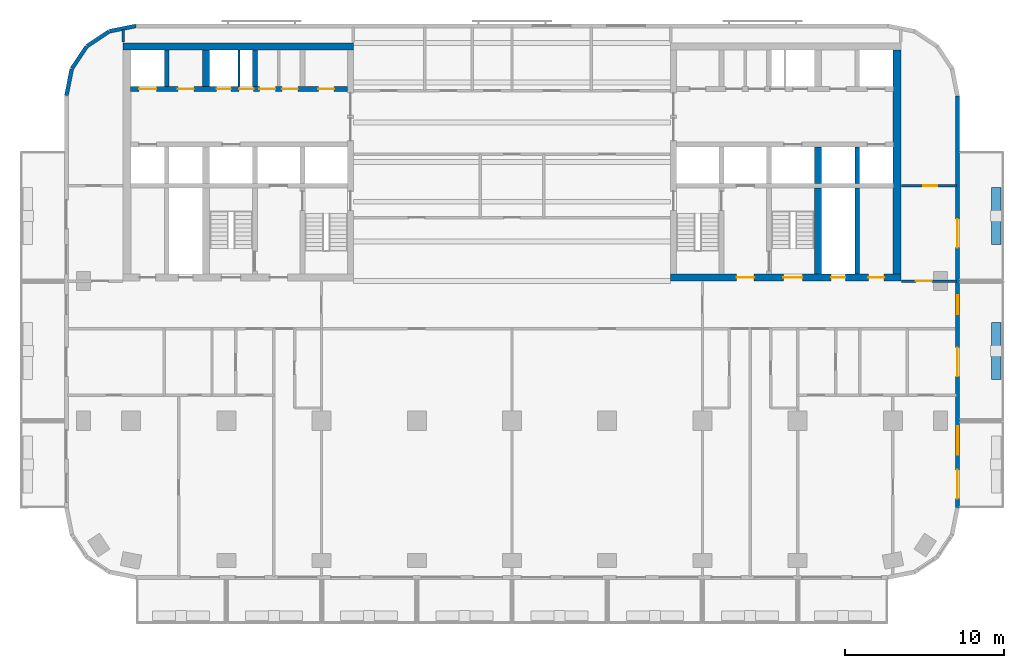
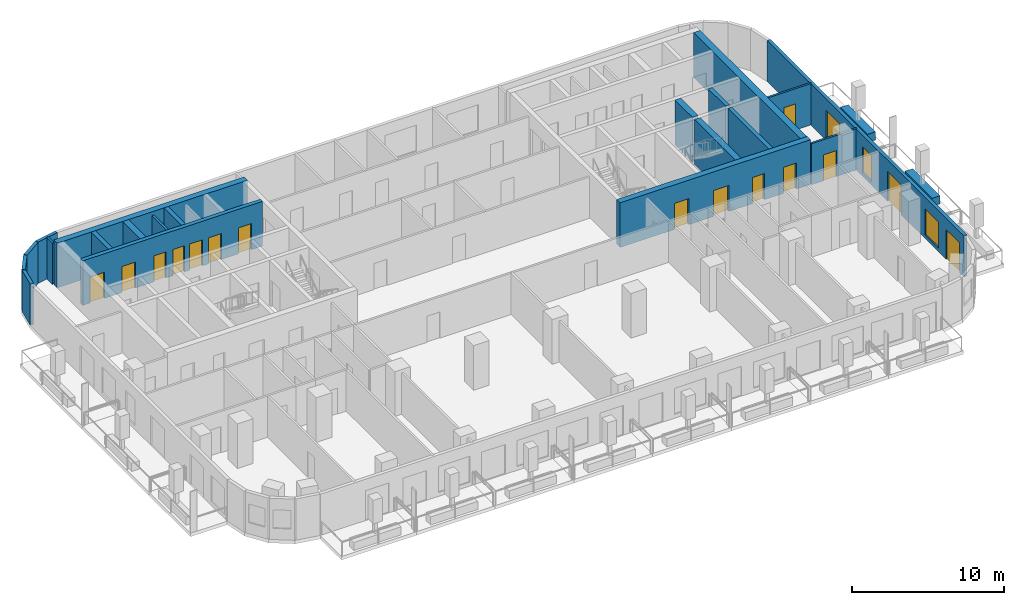
# One storey, part 6 of 11: 22 walls, 16 doors, 2 windows, 18 openings.
"""IFC4 building model written with IfcOpenShell, lengths in metres."""

from ifc_helpers import new_model, si_unit, direction, frame, frame_2d, origin, place, context, subcontext, project, spatial, rectangle, extrude, material, layer, layer_set, type_object, element, fill, save


model = new_model("IFC4")

# Units and contexts
model_context = context("Model", 3, precision=1e-05, world=origin(), true_north=direction((0.0, 1.0)))
body_context = subcontext(model_context, "Body", "Model", "MODEL_VIEW")
ifc_project = project(units=[si_unit("LENGTHUNIT", "METRE"), si_unit("AREAUNIT", "SQUARE_METRE"), si_unit("VOLUMEUNIT", "CUBIC_METRE"), si_unit("PLANEANGLEUNIT", "RADIAN"), si_unit("MASSUNIT", "GRAM", prefix="KILO")], contexts=[model_context])

# Site, building, storey
site_placement = place(None, origin())
site = spatial("IfcSite", under=ifc_project, at=site_placement, CompositionType="ELEMENT")
building_placement = place(site_placement, origin())
building = spatial("IfcBuilding", under=site, at=building_placement, Name="Torana Hotel and Residences", CompositionType="ELEMENT")
storey_placement = place(building_placement, frame((0.0, 0.0, 123.60009765625)))
storey = spatial("IfcBuildingStorey", under=building, at=storey_placement, Name="L31", CompositionType="ELEMENT", Elevation=123.60009765625)

# Wall, openings, doors
ifc_material_1 = material(Name="Concrete C70/85", Category="concrete")
ifc_layer_1 = layer(ifc_material_1, 0.300048828125)
ifc_layer_set_1 = layer_set([ifc_layer_1], Name="CORE WALL 300 C70/85")
wall_type_1 = type_object("IfcWallType", Name="CORE WALL 300 C70/85", PredefinedType="SHEAR", material=ifc_layer_set_1)
wall_1_placement = place(storey_placement, frame((-24.050048828125, -2.89990234375, 0.0), z_axis=(0.0, 0.0, 1.0), x_axis=(1.0, 0.0, 0.0)))
wall_1 = element("IfcWall", 1, at=wall_1_placement, inside=storey, type_object=wall_type_1, Name="Core wall W row-N", PredefinedType="SHEAR", context=body_context, shape_type="SweptSolid", body=[
    extrude(rectangle(XDim=13.699951171875, YDim=0.300048828125, at=frame_2d((6.85009765625, 0.0))), origin(), (0.0, 0.0, 1.0), 3.599853515625),
])
opening_1_placement = place(wall_1_placement, frame((0.550048828125, 0.0, 0.0)))
opening_1 = element("IfcOpeningElement", 2, at=opening_1_placement, cuts=wall_1, Name="Opening LD", PredefinedType="OPENING", context=body_context, shape_type="SweptSolid", body=[
    extrude(rectangle(XDim=1.10009765625, YDim=2.10009765625, at=frame_2d((0.550048828125, 1.050048828125))), frame((0.0, 0.159912109375, 0.0), z_axis=(0.0, -1.0, 0.0), x_axis=(1.0, 0.0, 0.0)), (0.0, 0.0, 1.0), 0.320068359375),
])
opening_2_placement = place(wall_1_placement, frame((6.862548828125, 0.0, 0.0)))
opening_2 = element("IfcOpeningElement", 3, at=opening_2_placement, cuts=wall_1, Name="Opening L31-08", PredefinedType="OPENING", context=body_context, shape_type="SweptSolid", body=[
    extrude(rectangle(XDim=0.89990234375, YDim=2.10009765625, at=frame_2d((0.449951171875, 1.050048828125))), frame((0.0, 0.159912109375, 0.0), z_axis=(0.0, -1.0, 0.0), x_axis=(1.0, 0.0, 0.0)), (0.0, 0.0, 1.0), 0.320068359375),
])
opening_3_placement = place(wall_1_placement, frame((5.4375, 0.0, 0.0)))
opening_3 = element("IfcOpeningElement", 4, at=opening_3_placement, cuts=wall_1, Name="Opening L31-09", PredefinedType="OPENING", context=body_context, shape_type="SweptSolid", body=[
    extrude(rectangle(XDim=0.89990234375, YDim=2.10009765625, at=frame_2d((0.449951171875, 1.050048828125))), frame((0.0, 0.159912109375, 0.0), z_axis=(0.0, -1.0, 0.0), x_axis=(1.0, 0.0, 0.0)), (0.0, 0.0, 1.0), 0.320068359375),
])
opening_4_placement = place(wall_1_placement, frame((11.85009765625, 0.0, 0.0)))
opening_4 = element("IfcOpeningElement", 5, at=opening_4_placement, cuts=wall_1, Name="Opening L31-10", PredefinedType="OPENING", context=body_context, shape_type="SweptSolid", body=[
    extrude(rectangle(XDim=1.0, YDim=2.10009765625, at=frame_2d((0.5, 1.050048828125))), frame((0.0, 0.159912109375, 0.0), z_axis=(0.0, -1.0, 0.0), x_axis=(1.0, 0.0, 0.0)), (0.0, 0.0, 1.0), 0.320068359375),
])
opening_5_placement = place(wall_1_placement, frame((9.5625, 0.0, 0.0)))
opening_5 = element("IfcOpeningElement", 6, at=opening_5_placement, cuts=wall_1, Name="Opening L31-11", PredefinedType="OPENING", context=body_context, shape_type="SweptSolid", body=[
    extrude(rectangle(XDim=1.0, YDim=2.10009765625, at=frame_2d((0.5, 1.050048828125))), frame((0.0, 0.159912109375, 0.0), z_axis=(0.0, -1.0, 0.0), x_axis=(1.0, 0.0, 0.0)), (0.0, 0.0, 1.0), 0.320068359375),
])
opening_6_placement = place(wall_1_placement, frame((8.137451171875, 0.0, 0.0)))
opening_6 = element("IfcOpeningElement", 7, at=opening_6_placement, cuts=wall_1, Name="Opening L31-12", PredefinedType="OPENING", context=body_context, shape_type="SweptSolid", body=[
    extrude(rectangle(XDim=1.0, YDim=2.10009765625, at=frame_2d((0.5, 1.050048828125))), frame((0.0, 0.159912109375, 0.0), z_axis=(0.0, -1.0, 0.0), x_axis=(1.0, 0.0, 0.0)), (0.0, 0.0, 1.0), 0.320068359375),
])
opening_7_placement = place(wall_1_placement, frame((3.0, 0.0, 0.0)))
opening_7 = element("IfcOpeningElement", 8, at=opening_7_placement, cuts=wall_1, Name="Opening L31-13", PredefinedType="OPENING", context=body_context, shape_type="SweptSolid", body=[
    extrude(rectangle(XDim=1.0, YDim=2.10009765625, at=frame_2d((0.5, 1.050048828125))), frame((0.0, 0.159912109375, 0.0), z_axis=(0.0, -1.0, 0.0), x_axis=(1.0, 0.0, 0.0)), (0.0, 0.0, 1.0), 0.320068359375),
])
ifc_material_2 = material(Name="Steel S235", Category="steel")
door_type_1 = type_object("IfcDoorType", Name="CORE ROOM FIRE DOOR D14 1000x2100", OperationType="SINGLE_SWING_LEFT", PredefinedType="DOOR", material=ifc_material_2)
door_1_placement = place(opening_4_placement, origin())
door_1 = element("IfcDoor", 9, at=door_1_placement, inside=storey, type_object=door_type_1, Name="N0 door L31", OperationType="SINGLE_SWING_RIGHT", OverallHeight=2.10009765625, OverallWidth=1.0, PredefinedType="DOOR", context=body_context, shape_type="SweptSolid", body=[
    extrude(rectangle(XDim=1.0, YDim=2.10009765625, at=frame_2d((0.5, 1.050048828125))), frame((0.0, 0.02490234375, 0.0), z_axis=(0.0, -1.0, 0.0), x_axis=(1.0, 0.0, 0.0)), (0.0, 0.0, 1.0), 0.050048828125),
])
fill(opening_4, door_1)
door_2_placement = place(opening_5_placement, origin())
door_2 = element("IfcDoor", 10, at=door_2_placement, inside=storey, type_object=door_type_1, Name="N1A door L31", OperationType="SINGLE_SWING_RIGHT", OverallHeight=2.10009765625, OverallWidth=1.0, PredefinedType="DOOR", context=body_context, shape_type="SweptSolid", body=[
    extrude(rectangle(XDim=1.0, YDim=2.10009765625, at=frame_2d((0.5, 1.050048828125))), frame((0.0, 0.02490234375, 0.0), z_axis=(0.0, -1.0, 0.0), x_axis=(1.0, 0.0, 0.0)), (0.0, 0.0, 1.0), 0.050048828125),
])
fill(opening_5, door_2)
door_3_placement = place(opening_6_placement, origin())
door_3 = element("IfcDoor", 11, at=door_3_placement, inside=storey, type_object=door_type_1, Name="N1B door L31", OperationType="SINGLE_SWING_RIGHT", OverallHeight=2.10009765625, OverallWidth=1.0, PredefinedType="DOOR", context=body_context, shape_type="SweptSolid", body=[
    extrude(rectangle(XDim=1.0, YDim=2.10009765625, at=frame_2d((0.5, 1.050048828125))), frame((0.0, 0.02490234375, 0.0), z_axis=(0.0, -1.0, 0.0), x_axis=(1.0, 0.0, 0.0)), (0.0, 0.0, 1.0), 0.050048828125),
])
fill(opening_6, door_3)
door_4_placement = place(opening_7_placement, origin())
door_4 = element("IfcDoor", 12, at=door_4_placement, inside=storey, type_object=door_type_1, Name="Freed-S1 door L31", OperationType="SINGLE_SWING_RIGHT", OverallHeight=2.10009765625, OverallWidth=1.0, PredefinedType="DOOR", context=body_context, shape_type="SweptSolid", body=[
    extrude(rectangle(XDim=1.0, YDim=2.10009765625, at=frame_2d((0.5, 1.050048828125))), frame((0.0, 0.02490234375, 0.0), z_axis=(0.0, -1.0, 0.0), x_axis=(1.0, 0.0, 0.0)), (0.0, 0.0, 1.0), 0.050048828125),
])
fill(opening_7, door_4)
ifc_material_3 = material(Name="Stainless steel 316", Category="steel")
door_type_2 = type_object("IfcDoorType", Name="LIFT LANDING DOOR LD 1100x2100", OperationType="DOUBLE_DOOR_SLIDING", PredefinedType="USERDEFINED", material=ifc_material_3)
door_5_placement = place(opening_1_placement, origin())
door_5 = element("IfcDoor", 13, at=door_5_placement, inside=storey, type_object=door_type_2, Name="Lift landing door M1 L31", ObjectType="LIFT LANDING DOOR", OperationType="DOUBLE_DOOR_SLIDING", OverallHeight=2.10009765625, OverallWidth=1.10009765625, PredefinedType="USERDEFINED", context=body_context, shape_type="SweptSolid", body=[
    extrude(rectangle(XDim=1.10009765625, YDim=2.10009765625, at=frame_2d((0.550048828125, 1.050048828125))), frame((0.0, 0.02490234375, 0.0), z_axis=(0.0, -1.0, 0.0), x_axis=(1.0, 0.0, 0.0)), (0.0, 0.0, 1.0), 0.050048828125),
])
fill(opening_1, door_5)
ifc_material_4 = material(Name="Steel S235", Category="steel")
door_type_3 = type_object("IfcDoorType", Name="RISER ACCESS DOOR D5 900x2100", OperationType="SINGLE_SWING_LEFT", PredefinedType="DOOR", material=ifc_material_4)
door_6_placement = place(opening_2_placement, origin())
door_6 = element("IfcDoor", 14, at=door_6_placement, inside=storey, type_object=door_type_3, Name="N2A door L31", OperationType="SINGLE_SWING_LEFT", OverallHeight=2.10009765625, OverallWidth=0.89990234375, PredefinedType="DOOR", context=body_context, shape_type="SweptSolid", body=[
    extrude(rectangle(XDim=0.89990234375, YDim=2.10009765625, at=frame_2d((0.449951171875, 1.050048828125))), frame((0.0, 0.02490234375, 0.0), z_axis=(0.0, -1.0, 0.0), x_axis=(1.0, 0.0, 0.0)), (0.0, 0.0, 1.0), 0.050048828125),
])
fill(opening_2, door_6)
door_7_placement = place(opening_3_placement, origin())
door_7 = element("IfcDoor", 15, at=door_7_placement, inside=storey, type_object=door_type_3, Name="N2B door L31", OperationType="SINGLE_SWING_RIGHT", OverallHeight=2.10009765625, OverallWidth=0.89990234375, PredefinedType="DOOR", context=body_context, shape_type="SweptSolid", body=[
    extrude(rectangle(XDim=0.89990234375, YDim=2.10009765625, at=frame_2d((0.449951171875, 1.050048828125))), frame((0.0, 0.02490234375, 0.0), z_axis=(0.0, -1.0, 0.0), x_axis=(1.0, 0.0, 0.0)), (0.0, 0.0, 1.0), 0.050048828125),
])
fill(opening_3, door_7)

# Walls
for number, where, z_axis, x_axis, name in (
    (16, (-16.199951171875, -2.75, 0.0), (0.0, 0.0, 1.0), (0.0, 1.0, 0.0), "Core wall W x6.05-N"),
    (17, (-21.75, -2.75, 0.0), (0.0, 0.0, 1.0), (0.0, 1.0, 0.0), "Core wall W mm-N"),
    (18, (21.75, -8.85009765625, 0.0), (0.0, 0.0, 1.0), (0.0, 1.0, 0.0), "Core wall E mm-S"),
):
    element("IfcWall", number, at=place(storey_placement, frame(where, z_axis=z_axis, x_axis=x_axis)), inside=storey, type_object=wall_type_1, Name=name, PredefinedType="SHEAR", context=body_context, shape_type="SweptSolid", body=[
        extrude(rectangle(XDim=2.300048828125, YDim=0.300048828125, at=frame_2d((1.14990234375, 0.0))), origin(), (0.0, 0.0, 1.0), 3.599853515625),
    ])
wall_2_placement = place(storey_placement, frame((21.75, -14.550048828125, 0.0), z_axis=(0.0, 0.0, 1.0), x_axis=(0.0, 1.0, 0.0)))
element("IfcWall", 19, at=wall_2_placement, inside=storey, type_object=wall_type_1, Name="Core wall E mm-band", PredefinedType="SHEAR", context=body_context, shape_type="SweptSolid", body=[
    extrude(rectangle(XDim=5.400146484375, YDim=0.300048828125, at=frame_2d((2.7001953125, 0.0))), origin(), (0.0, 0.0, 1.0), 3.599853515625),
])
ifc_material_5 = material(Name="Concrete C70/85", Category="concrete")
ifc_layer_2 = layer(ifc_material_5, 0.449951171875)
ifc_layer_set_2 = layer_set([ifc_layer_2], Name="CORE WALL 450 C70/85")
wall_type_2 = type_object("IfcWallType", Name="CORE WALL 450 C70/85", PredefinedType="SHEAR", material=ifc_layer_set_2)
wall_3_placement = place(storey_placement, frame((-24.5, -0.22509765625, 0.0), z_axis=(0.0, 0.0, 1.0), x_axis=(1.0, 0.0, 0.0)))
element("IfcWall", 20, at=wall_3_placement, inside=storey, type_object=wall_type_2, Name="Core wall W rear", PredefinedType="SHEAR", context=body_context, shape_type="SweptSolid", body=[
    extrude(rectangle(XDim=14.5, YDim=0.449951171875, at=frame_2d((7.25, 0.0))), origin(), (0.0, 0.0, 1.0), 3.599853515625),
])
wall_4_placement = place(storey_placement, frame((-19.27490234375, -2.75, 0.0), z_axis=(0.0, 0.0, 1.0), x_axis=(0.0, 1.0, 0.0)))
element("IfcWall", 21, at=wall_4_placement, inside=storey, type_object=wall_type_2, Name="Core wall W hm-N", PredefinedType="SHEAR", context=body_context, shape_type="SweptSolid", body=[
    extrude(rectangle(XDim=2.300048828125, YDim=0.449951171875, at=frame_2d((1.14990234375, 0.0))), origin(), (0.0, 0.0, 1.0), 3.599853515625),
])

# Wall, openings, doors
wall_5_placement = place(storey_placement, frame((10.0, -14.77490234375, 0.0), z_axis=(0.0, 0.0, 1.0), x_axis=(1.0, 0.0, 0.0)))
wall_5 = element("IfcWall", 22, at=wall_5_placement, inside=storey, type_object=wall_type_2, Name="Core wall E front", PredefinedType="SHEAR", context=body_context, shape_type="SweptSolid", body=[
    extrude(rectangle(XDim=14.5, YDim=0.449951171875, at=frame_2d((7.25, 0.0))), origin(), (0.0, 0.0, 1.0), 3.599853515625),
])
opening_8_placement = place(wall_5_placement, frame((7.10009765625, 0.0, 0.0)))
opening_8 = element("IfcOpeningElement", 23, at=opening_8_placement, cuts=wall_5, Name="Opening L31-19", PredefinedType="OPENING", context=body_context, shape_type="SweptSolid", body=[
    extrude(rectangle(XDim=1.199951171875, YDim=2.10009765625, at=frame_2d((0.60009765625, 1.050048828125))), frame((0.0, 0.23486328125, 0.0), z_axis=(0.0, -1.0, 0.0), x_axis=(1.0, 0.0, 0.0)), (0.0, 0.0, 1.0), 0.469970703125),
])
opening_9_placement = place(wall_5_placement, frame((4.14990234375, 0.0, 0.0)))
opening_9 = element("IfcOpeningElement", 24, at=opening_9_placement, cuts=wall_5, Name="Opening L31-20", PredefinedType="OPENING", context=body_context, shape_type="SweptSolid", body=[
    extrude(rectangle(XDim=1.10009765625, YDim=2.10009765625, at=frame_2d((0.550048828125, 1.050048828125))), frame((0.0, 0.23486328125, 0.0), z_axis=(0.0, -1.0, 0.0), x_axis=(1.0, 0.0, 0.0)), (0.0, 0.0, 1.0), 0.469970703125),
])
opening_10_placement = place(wall_5_placement, frame((10.10009765625, 0.0, 0.0)))
opening_10 = element("IfcOpeningElement", 25, at=opening_10_placement, cuts=wall_5, Name="Opening L31-21", PredefinedType="OPENING", context=body_context, shape_type="SweptSolid", body=[
    extrude(rectangle(XDim=0.89990234375, YDim=2.10009765625, at=frame_2d((0.449951171875, 1.050048828125))), frame((0.0, 0.23486328125, 0.0), z_axis=(0.0, -1.0, 0.0), x_axis=(1.0, 0.0, 0.0)), (0.0, 0.0, 1.0), 0.469970703125),
])
opening_11_placement = place(wall_5_placement, frame((12.449951171875, 0.0, 0.0)))
opening_11 = element("IfcOpeningElement", 26, at=opening_11_placement, cuts=wall_5, Name="Opening L31-22", PredefinedType="OPENING", context=body_context, shape_type="SweptSolid", body=[
    extrude(rectangle(XDim=1.0, YDim=2.10009765625, at=frame_2d((0.5, 1.050048828125))), frame((0.0, 0.23486328125, 0.0), z_axis=(0.0, -1.0, 0.0), x_axis=(1.0, 0.0, 0.0)), (0.0, 0.0, 1.0), 0.469970703125),
])
door_8_placement = place(opening_11_placement, origin())
door_8 = element("IfcDoor", 27, at=door_8_placement, inside=storey, type_object=door_type_1, Name="M-Room door L31", OperationType="SINGLE_SWING_RIGHT", OverallHeight=2.10009765625, OverallWidth=1.0, PredefinedType="DOOR", context=body_context, shape_type="SweptSolid", body=[
    extrude(rectangle(XDim=1.0, YDim=2.10009765625, at=frame_2d((0.5, 1.050048828125))), frame((0.0, 0.02490234375, 0.0), z_axis=(0.0, -1.0, 0.0), x_axis=(1.0, 0.0, 0.0)), (0.0, 0.0, 1.0), 0.050048828125),
])
fill(opening_11, door_8)
ifc_material_6 = material(Name="Steel S235", Category="steel")
door_type_4 = type_object("IfcDoorType", Name="FIRE-FIGHTING LOBBY DOOR D8 1100x2100", OperationType="SINGLE_SWING_LEFT", PredefinedType="DOOR", material=ifc_material_6)
door_9_placement = place(opening_9_placement, origin())
door_9 = element("IfcDoor", 28, at=door_9_placement, inside=storey, type_object=door_type_4, Name="FF-lobby door L31", OperationType="SINGLE_SWING_RIGHT", OverallHeight=2.10009765625, OverallWidth=1.10009765625, PredefinedType="DOOR", context=body_context, shape_type="SweptSolid", body=[
    extrude(rectangle(XDim=1.10009765625, YDim=2.10009765625, at=frame_2d((0.550048828125, 1.050048828125))), frame((0.0, 0.02490234375, 0.0), z_axis=(0.0, -1.0, 0.0), x_axis=(1.0, 0.0, 0.0)), (0.0, 0.0, 1.0), 0.050048828125),
])
fill(opening_9, door_9)
door_10_placement = place(opening_10_placement, origin())
door_10 = element("IfcDoor", 29, at=door_10_placement, inside=storey, type_object=door_type_3, Name="M-Riser door L31", OperationType="SINGLE_SWING_RIGHT", OverallHeight=2.10009765625, OverallWidth=0.89990234375, PredefinedType="DOOR", context=body_context, shape_type="SweptSolid", body=[
    extrude(rectangle(XDim=0.89990234375, YDim=2.10009765625, at=frame_2d((0.449951171875, 1.050048828125))), frame((0.0, 0.02490234375, 0.0), z_axis=(0.0, -1.0, 0.0), x_axis=(1.0, 0.0, 0.0)), (0.0, 0.0, 1.0), 0.050048828125),
])
fill(opening_10, door_10)
ifc_material_7 = material(Name="Steel S235", Category="steel")
door_type_5 = type_object("IfcDoorType", Name="STAIR FIRE DOOR D3 1200x2100", OperationType="SINGLE_SWING_LEFT", PredefinedType="DOOR", material=ifc_material_7)
door_11_placement = place(opening_8_placement, origin())
door_11 = element("IfcDoor", 30, at=door_11_placement, inside=storey, type_object=door_type_5, Name="Stair-B door L31", OperationType="SINGLE_SWING_RIGHT", OverallHeight=2.10009765625, OverallWidth=1.199951171875, PredefinedType="DOOR", context=body_context, shape_type="SweptSolid", body=[
    extrude(rectangle(XDim=1.199951171875, YDim=2.10009765625, at=frame_2d((0.60009765625, 1.050048828125))), frame((0.0, 0.02490234375, 0.0), z_axis=(0.0, -1.0, 0.0), x_axis=(1.0, 0.0, 0.0)), (0.0, 0.0, 1.0), 0.050048828125),
])
fill(opening_8, door_11)

# Walls
wall_6_placement = place(storey_placement, frame((19.27490234375, -8.85009765625, 0.0), z_axis=(0.0, 0.0, 1.0), x_axis=(0.0, 1.0, 0.0)))
element("IfcWall", 31, at=wall_6_placement, inside=storey, type_object=wall_type_2, Name="Core wall E hm-S", PredefinedType="SHEAR", context=body_context, shape_type="SweptSolid", body=[
    extrude(rectangle(XDim=2.300048828125, YDim=0.449951171875, at=frame_2d((1.14990234375, 0.0))), origin(), (0.0, 0.0, 1.0), 3.599853515625),
])
wall_7_placement = place(storey_placement, frame((19.27490234375, -14.550048828125, 0.0), z_axis=(0.0, 0.0, 1.0), x_axis=(0.0, 1.0, 0.0)))
element("IfcWall", 32, at=wall_7_placement, inside=storey, type_object=wall_type_2, Name="Core wall E hm-band", PredefinedType="SHEAR", context=body_context, shape_type="SweptSolid", body=[
    extrude(rectangle(XDim=5.400146484375, YDim=0.449951171875, at=frame_2d((2.7001953125, 0.0))), origin(), (0.0, 0.0, 1.0), 3.599853515625),
])
ifc_material_8 = material(Name="Concrete C70/85", Category="concrete")
ifc_layer_3 = layer(ifc_material_8, 0.5)
ifc_layer_set_3 = layer_set([ifc_layer_3], Name="CORE WALL 500 C70/85")
wall_type_3 = type_object("IfcWallType", Name="CORE WALL 500 C70/85", PredefinedType="SHEAR", material=ifc_layer_set_3)
wall_8_placement = place(storey_placement, frame((24.25, -14.550048828125, 0.0), z_axis=(0.0, 0.0, 1.0), x_axis=(0.0, 1.0, 0.0)))
element("IfcWall", 33, at=wall_8_placement, inside=storey, type_object=wall_type_3, Name="Core wall E outer", PredefinedType="SHEAR", context=body_context, shape_type="SweptSolid", body=[
    extrude(rectangle(XDim=14.10009765625, YDim=0.5, at=frame_2d((7.050048828125, 0.0))), origin(), (0.0, 0.0, 1.0), 3.599853515625),
])
ifc_material_9 = material(Name="Black aluminium composite panel", Category="aluminium")
ifc_layer_4 = layer(ifc_material_9, 0.00390625, Name="Cladding", Category="cladding")
ifc_material_10 = material(Name="Ventilated air cavity")
ifc_layer_5 = layer(ifc_material_10, 0.0400390625, Name="Ventilated cavity", Category="cavity")
ifc_material_11 = material(Name="Mineral wool insulation")
ifc_layer_6 = layer(ifc_material_11, 0.090087890625, Name="Insulation", Category="insulation")
ifc_material_12 = material(Name="Steel S280GD", Category="steel")
ifc_layer_7 = layer(ifc_material_12, 0.092041015625, Name="Steel stud frame", Category="structure")
ifc_material_13 = material(Name="Fire rated plasterboard")
ifc_layer_8 = layer(ifc_material_13, 0.011962890625, Name="Inner board", Category="finish")
ifc_layer_9 = layer(ifc_material_13, 0.011962890625, Name="Second board", Category="finish")
ifc_layer_set_4 = layer_set([ifc_layer_4, ifc_layer_5, ifc_layer_6, ifc_layer_7, ifc_layer_8, ifc_layer_9], Name="EW1 EXTERNAL WALL BLACK METAL CLAD 250")
wall_type_4 = type_object("IfcWallType", Name="EW1 EXTERNAL WALL BLACK METAL CLAD 250", PredefinedType="SOLIDWALL", material=ifc_layer_set_4)
wall_9_placement = place(storey_placement, frame((-23.69970703125, 1.072509765625, 0.0), z_axis=(0.0, 0.0, 1.0), x_axis=(-0.980803419081, -0.194999110559, 0.0)))
element("IfcWall", 34, at=wall_9_placement, inside=storey, type_object=wall_type_4, Name="External wall L31 e0.5", PredefinedType="SOLIDWALL", context=body_context, shape_type="SweptSolid", body=[
    extrude(rectangle(XDim=1.681396484375, YDim=0.25, at=frame_2d((0.8408203125, 0.0))), origin(), (0.0, 0.0, 1.0), 3.31982421875),
])
for number, where, z_axis, x_axis, name in (
    (35, (-25.39404296875, 0.725830078125, 0.0), (0.0, 0.0, 1.0), (-0.831482937015, -0.55555029066, 0.0), "External wall L31 e0.6"),
    (36, (-26.8056640625, -0.228759765625, 0.0), (0.0, 0.0, 1.0), (-0.55555029066, -0.831482937015, 0.0), "External wall L31 e0.7"),
):
    element("IfcWall", number, at=place(storey_placement, frame(where, z_axis=z_axis, x_axis=x_axis)), inside=storey, type_object=wall_type_4, Name=name, PredefinedType="SOLIDWALL", context=body_context, shape_type="SweptSolid", body=[
        extrude(rectangle(XDim=1.65625, YDim=0.25, at=frame_2d((0.828125, 0.0))), origin(), (0.0, 0.0, 1.0), 3.31982421875),
    ])
wall_10_placement = place(storey_placement, frame((-27.74462890625, -1.651123046875, 0.0), z_axis=(0.0, 0.0, 1.0), x_axis=(-0.194999110559, -0.980803419081, 0.0)))
element("IfcWall", 37, at=wall_10_placement, inside=storey, type_object=wall_type_4, Name="External wall L31 e0.8", PredefinedType="SOLIDWALL", context=body_context, shape_type="SweptSolid", body=[
    extrude(rectangle(XDim=1.681396484375, YDim=0.25, at=frame_2d((0.8408203125, 0.0))), origin(), (0.0, 0.0, 1.0), 3.31982421875),
])

# Wall, openings, doors, windows
wall_11_placement = place(storey_placement, frame((28.074951171875, -29.275390625, 0.0), z_axis=(0.0, 0.0, 1.0), x_axis=(0.0, 1.0, 0.0)))
wall_11 = element("IfcWall", 38, at=wall_11_placement, inside=storey, type_object=wall_type_4, Name="External wall L31 e0.19", PredefinedType="SOLIDWALL", context=body_context, shape_type="SweptSolid", body=[
    extrude(rectangle(XDim=25.95068359375, YDim=0.25, at=frame_2d((12.975341796875, 0.0))), origin(), (0.0, 0.0, 1.0), 3.31982421875),
])
opening_12_placement = place(wall_11_placement, frame((0.575439453125, 0.0, 0.0)))
opening_12 = element("IfcOpeningElement", 39, at=opening_12_placement, cuts=wall_11, Name="Opening L31-E09", PredefinedType="OPENING", context=body_context, shape_type="SweptSolid", body=[
    extrude(rectangle(XDim=1.800048828125, YDim=2.39990234375, at=frame_2d((0.89990234375, 1.199951171875))), frame((0.0, 0.135009765625, 0.0), z_axis=(0.0, -1.0, 0.0), x_axis=(1.0, 0.0, 0.0)), (0.0, 0.0, 1.0), 0.27001953125),
])
opening_13_placement = place(wall_11_placement, frame((3.325439453125, 0.0, 0.300048828125)))
opening_13 = element("IfcOpeningElement", 40, at=opening_13_placement, cuts=wall_11, Name="Opening W2", PredefinedType="OPENING", context=body_context, shape_type="SweptSolid", body=[
    extrude(rectangle(XDim=1.800048828125, YDim=2.10009765625, at=frame_2d((0.89990234375, 1.050048828125))), frame((0.0, 0.135009765625, 0.0), z_axis=(0.0, -1.0, 0.0), x_axis=(1.0, 0.0, 0.0)), (0.0, 0.0, 1.0), 0.27001953125),
])
opening_14_placement = place(wall_11_placement, frame((8.275390625, 0.0, 0.0)))
opening_14 = element("IfcOpeningElement", 41, at=opening_14_placement, cuts=wall_11, Name="Opening L31-E10", PredefinedType="OPENING", context=body_context, shape_type="SweptSolid", body=[
    extrude(rectangle(XDim=1.800048828125, YDim=2.39990234375, at=frame_2d((0.89990234375, 1.199951171875))), frame((0.0, 0.135009765625, 0.0), z_axis=(0.0, -1.0, 0.0), x_axis=(1.0, 0.0, 0.0)), (0.0, 0.0, 1.0), 0.27001953125),
])
opening_15_placement = place(wall_11_placement, frame((12.17529296875, 0.0, 0.300048828125)))
opening_15 = element("IfcOpeningElement", 42, at=opening_15_placement, cuts=wall_11, Name="Opening W7", PredefinedType="OPENING", context=body_context, shape_type="SweptSolid", body=[
    extrude(rectangle(XDim=1.199951171875, YDim=2.10009765625, at=frame_2d((0.60009765625, 1.050048828125))), frame((0.0, 0.135009765625, 0.0), z_axis=(0.0, -1.0, 0.0), x_axis=(1.0, 0.0, 0.0)), (0.0, 0.0, 1.0), 0.27001953125),
])
opening_16_placement = place(wall_11_placement, frame((16.37548828125, 0.0, 0.0)))
opening_16 = element("IfcOpeningElement", 43, at=opening_16_placement, cuts=wall_11, Name="Opening L31-E11", PredefinedType="OPENING", context=body_context, shape_type="SweptSolid", body=[
    extrude(rectangle(XDim=1.800048828125, YDim=2.39990234375, at=frame_2d((0.89990234375, 1.199951171875))), frame((0.0, 0.135009765625, 0.0), z_axis=(0.0, -1.0, 0.0), x_axis=(1.0, 0.0, 0.0)), (0.0, 0.0, 1.0), 0.27001953125),
])
ifc_material_14 = material(Name="Dark glass in black aluminium frame", Category="aluminium")
door_type_6 = type_object("IfcDoorType", Name="DB1 BALCONY DOOR 1800x2400", OperationType="DOUBLE_DOOR_SINGLE_SWING", PredefinedType="DOOR", material=ifc_material_14)
door_12_placement = place(opening_12_placement, origin())
door_12 = element("IfcDoor", 44, at=door_12_placement, inside=storey, type_object=door_type_6, Name="Balcony door L31", OperationType="DOUBLE_DOOR_SINGLE_SWING", OverallHeight=2.39990234375, OverallWidth=1.800048828125, PredefinedType="DOOR", context=body_context, shape_type="SweptSolid", body=[
    extrude(rectangle(XDim=1.800048828125, YDim=2.39990234375, at=frame_2d((0.89990234375, 1.199951171875))), frame((0.0, 0.02490234375, 0.0), z_axis=(0.0, -1.0, 0.0), x_axis=(1.0, 0.0, 0.0)), (0.0, 0.0, 1.0), 0.050048828125),
])
fill(opening_12, door_12)
door_13_placement = place(opening_14_placement, origin())
door_13 = element("IfcDoor", 45, at=door_13_placement, inside=storey, type_object=door_type_6, Name="Balcony door L31", OperationType="DOUBLE_DOOR_SINGLE_SWING", OverallHeight=2.39990234375, OverallWidth=1.800048828125, PredefinedType="DOOR", context=body_context, shape_type="SweptSolid", body=[
    extrude(rectangle(XDim=1.800048828125, YDim=2.39990234375, at=frame_2d((0.89990234375, 1.199951171875))), frame((0.0, 0.02490234375, 0.0), z_axis=(0.0, -1.0, 0.0), x_axis=(1.0, 0.0, 0.0)), (0.0, 0.0, 1.0), 0.050048828125),
])
fill(opening_14, door_13)
door_14_placement = place(opening_16_placement, origin())
door_14 = element("IfcDoor", 46, at=door_14_placement, inside=storey, type_object=door_type_6, Name="Balcony door L31", OperationType="DOUBLE_DOOR_SINGLE_SWING", OverallHeight=2.39990234375, OverallWidth=1.800048828125, PredefinedType="DOOR", context=body_context, shape_type="SweptSolid", body=[
    extrude(rectangle(XDim=1.800048828125, YDim=2.39990234375, at=frame_2d((0.89990234375, 1.199951171875))), frame((0.0, 0.02490234375, 0.0), z_axis=(0.0, -1.0, 0.0), x_axis=(1.0, 0.0, 0.0)), (0.0, 0.0, 1.0), 0.050048828125),
])
fill(opening_16, door_14)
ifc_material_15 = material(Name="Dark glass in black aluminium frame", Category="aluminium")
window_type_1 = type_object("IfcWindowType", Name="W2 HOTEL ROOM WINDOW NARROW 1800x2100", PartitioningType="SINGLE_PANEL", PredefinedType="WINDOW", material=ifc_material_15)
window_1_placement = place(opening_13_placement, origin())
window_1 = element("IfcWindow", 47, at=window_1_placement, inside=storey, type_object=window_type_1, Name="Window L31", OverallHeight=2.10009765625, OverallWidth=1.800048828125, PartitioningType="SINGLE_PANEL", PredefinedType="WINDOW", context=body_context, shape_type="SweptSolid", body=[
    extrude(rectangle(XDim=1.800048828125, YDim=2.10009765625, at=frame_2d((0.89990234375, 1.050048828125))), frame((0.0, 0.030029296875, 0.0), z_axis=(0.0, -1.0, 0.0), x_axis=(1.0, 0.0, 0.0)), (0.0, 0.0, 1.0), 0.06005859375),
])
fill(opening_13, window_1)
ifc_material_16 = material(Name="Dark glass in black aluminium frame", Category="aluminium")
window_type_2 = type_object("IfcWindowType", Name="W7 HOTEL CORRIDOR WINDOW 1200x2100", PartitioningType="SINGLE_PANEL", PredefinedType="WINDOW", material=ifc_material_16)
window_2_placement = place(opening_15_placement, origin())
window_2 = element("IfcWindow", 48, at=window_2_placement, inside=storey, type_object=window_type_2, Name="Window L31", OverallHeight=2.10009765625, OverallWidth=1.199951171875, PartitioningType="SINGLE_PANEL", PredefinedType="WINDOW", context=body_context, shape_type="SweptSolid", body=[
    extrude(rectangle(XDim=1.199951171875, YDim=2.10009765625, at=frame_2d((0.60009765625, 1.050048828125))), frame((0.0, 0.030029296875, 0.0), z_axis=(0.0, -1.0, 0.0), x_axis=(1.0, 0.0, 0.0)), (0.0, 0.0, 1.0), 0.06005859375),
])
fill(opening_15, window_2)

# Wall
ifc_material_17 = material(Name="Gypsum plaster")
ifc_layer_10 = layer(ifc_material_17, 0.014892578125, Name="Plaster", Category="finish")
ifc_material_18 = material(Name="Concrete blockwork", Category="masonry")
ifc_layer_11 = layer(ifc_material_18, 0.1201171875, Name="Blockwork", Category="structure")
ifc_layer_12 = layer(ifc_material_17, 0.014892578125, Name="Plaster", Category="finish")
ifc_layer_set_5 = layer_set([ifc_layer_10, ifc_layer_11, ifc_layer_12], Name="FIRE PARTITION 150 BLOCKWORK")
wall_type_5 = type_object("IfcWallType", Name="FIRE PARTITION 150 BLOCKWORK", PredefinedType="PARTITIONING", material=ifc_layer_set_5)
wall_12_placement = place(storey_placement, frame((-17.199951171875, -2.75, 0.0), z_axis=(0.0, 0.0, 1.0), x_axis=(0.0, 1.0, 0.0)))
element("IfcWall", 49, at=wall_12_placement, inside=storey, type_object=wall_type_5, Name="Core partition L31", PredefinedType="PARTITIONING", context=body_context, shape_type="SweptSolid", body=[
    extrude(rectangle(XDim=2.300048828125, YDim=0.14990234375, at=frame_2d((1.14990234375, 0.0))), origin(), (0.0, 0.0, 1.0), 3.2998046875),
])

# Wall, opening, door
wall_13_placement = place(storey_placement, frame((24.550048828125, -15.0, 0.0), z_axis=(0.0, 0.0, 1.0), x_axis=(1.0, 0.0, 0.0)))
wall_13 = element("IfcWall", 50, at=wall_13_placement, inside=storey, type_object=wall_type_5, Name="Partition L31", PredefinedType="PARTITIONING", context=body_context, shape_type="SweptSolid", body=[
    extrude(rectangle(XDim=3.469970703125, YDim=0.14990234375, at=frame_2d((1.73486328125, 0.0))), origin(), (0.0, 0.0, 1.0), 3.31982421875),
])
opening_17_placement = place(wall_13_placement, frame((0.89990234375, 0.0, 0.0)))
opening_17 = element("IfcOpeningElement", 51, at=opening_17_placement, cuts=wall_13, Name="Opening L31-39", PredefinedType="OPENING", context=body_context, shape_type="SweptSolid", body=[
    extrude(rectangle(XDim=1.0, YDim=2.10009765625, at=frame_2d((0.5, 1.050048828125))), frame((0.0, 0.0849609375, 0.0), z_axis=(0.0, -1.0, 0.0), x_axis=(1.0, 0.0, 0.0)), (0.0, 0.0, 1.0), 0.169921875),
])
door_15_placement = place(opening_17_placement, origin())
door_15 = element("IfcDoor", 52, at=door_15_placement, inside=storey, type_object=door_type_1, Name="Door L31", OperationType="SINGLE_SWING_LEFT", OverallHeight=2.10009765625, OverallWidth=1.0, PredefinedType="DOOR", context=body_context, shape_type="SweptSolid", body=[
    extrude(rectangle(XDim=1.0, YDim=2.10009765625, at=frame_2d((0.5, 1.050048828125))), frame((0.0, 0.02490234375, 0.0), z_axis=(0.0, -1.0, 0.0), x_axis=(1.0, 0.0, 0.0)), (0.0, 0.0, 1.0), 0.050048828125),
])
fill(opening_17, door_15)

# Wall
ifc_material_19 = material(Name="Gypsum plasterboard")
ifc_layer_13 = layer(ifc_material_19, 0.012451171875, Name="Plasterboard", Category="finish")
ifc_layer_14 = layer(ifc_material_19, 0.012451171875, Name="Plasterboard", Category="finish")
ifc_layer_15 = layer(ifc_material_12, 0.10009765625, Name="Steel studs with mineral wool", Category="insulation")
ifc_layer_16 = layer(ifc_material_19, 0.012451171875, Name="Plasterboard", Category="finish")
ifc_layer_17 = layer(ifc_material_19, 0.012451171875, Name="Plasterboard", Category="finish")
ifc_layer_set_6 = layer_set([ifc_layer_13, ifc_layer_14, ifc_layer_15, ifc_layer_16, ifc_layer_17], Name="PARTITION 150 PLASTERBOARD")
wall_type_6 = type_object("IfcWallType", Name="PARTITION 150 PLASTERBOARD", PredefinedType="PARTITIONING", material=ifc_layer_set_6)
wall_14_placement = place(storey_placement, frame((-24.5, 0.050048828125, 0.0), z_axis=(0.0, 0.0, 1.0), x_axis=(0.0, 1.0, 0.0)))
element("IfcWall", 53, at=wall_14_placement, inside=storey, type_object=wall_type_6, Name="Partition L31", PredefinedType="PARTITIONING", context=body_context, shape_type="SweptSolid", body=[
    extrude(rectangle(XDim=0.807373046875, YDim=0.14990234375, at=frame_2d((0.40380859375, 0.0))), origin(), (0.0, 0.0, 1.0), 3.31982421875),
])

# Wall, opening, door
wall_15_placement = place(storey_placement, frame((24.550048828125, -9.0, 0.0), z_axis=(0.0, 0.0, 1.0), x_axis=(1.0, 0.0, 0.0)))
wall_15 = element("IfcWall", 54, at=wall_15_placement, inside=storey, type_object=wall_type_6, Name="Partition L31", PredefinedType="PARTITIONING", context=body_context, shape_type="SweptSolid", body=[
    extrude(rectangle(XDim=3.469970703125, YDim=0.14990234375, at=frame_2d((1.73486328125, 0.0))), origin(), (0.0, 0.0, 1.0), 3.31982421875),
])
opening_18_placement = place(wall_15_placement, frame((1.35009765625, 0.0, 0.0)))
opening_18 = element("IfcOpeningElement", 55, at=opening_18_placement, cuts=wall_15, Name="Opening L31-65", PredefinedType="OPENING", context=body_context, shape_type="SweptSolid", body=[
    extrude(rectangle(XDim=0.89990234375, YDim=2.10009765625, at=frame_2d((0.449951171875, 1.050048828125))), frame((0.0, 0.0849609375, 0.0), z_axis=(0.0, -1.0, 0.0), x_axis=(1.0, 0.0, 0.0)), (0.0, 0.0, 1.0), 0.169921875),
])
ifc_material_20 = material(Name="Timber door, oiled ash", Category="wood")
door_type_7 = type_object("IfcDoorType", Name="ROOM DOOR D7 900x2100", OperationType="SINGLE_SWING_LEFT", PredefinedType="DOOR", material=ifc_material_20)
door_16_placement = place(opening_18_placement, origin())
door_16 = element("IfcDoor", 56, at=door_16_placement, inside=storey, type_object=door_type_7, Name="Door L31", OperationType="SINGLE_SWING_LEFT", OverallHeight=2.10009765625, OverallWidth=0.89990234375, PredefinedType="DOOR", context=body_context, shape_type="SweptSolid", body=[
    extrude(rectangle(XDim=0.89990234375, YDim=2.10009765625, at=frame_2d((0.449951171875, 1.050048828125))), frame((0.0, 0.02490234375, 0.0), z_axis=(0.0, -1.0, 0.0), x_axis=(1.0, 0.0, 0.0)), (0.0, 0.0, 1.0), 0.050048828125),
])
fill(opening_18, door_16)

# Walls
ifc_material_21 = material(Name="Concrete C40/50 precast", Category="concrete")
ifc_layer_18 = layer(ifc_material_21, 0.10009765625, Name="Planter shell", Category="structure")
ifc_material_22 = material(Name="Root resistant membrane")
ifc_layer_19 = layer(ifc_material_22, 0.00390625, Name="Waterproofing membrane", Category="membrane")
ifc_material_23 = material(Name="Drainage board with filter fleece")
ifc_layer_20 = layer(ifc_material_23, 0.02001953125, Name="Drainage board", Category="drainage")
ifc_material_24 = material(Name="Growing medium")
ifc_layer_21 = layer(ifc_material_24, 0.47607421875, Name="Planting substrate", Category="soil")
ifc_layer_set_7 = layer_set([ifc_layer_18, ifc_layer_19, ifc_layer_20, ifc_layer_21], Name="PL1 BALCONY PLANTER 600")
wall_type_7 = type_object("IfcWallType", Name="PL1 BALCONY PLANTER 600", PredefinedType="USERDEFINED", material=ifc_layer_set_7)
for number, where, z_axis, x_axis, name in (
    (57, (30.5, -17.60009765625, 0.0), (0.0, 0.0, 1.0), (0.0, -1.0, 0.0), "Planter 13"),
    (58, (30.5, -9.10009765625, 0.0), (0.0, 0.0, 1.0), (0.0, -1.0, 0.0), "Planter 14"),
):
    element("IfcWall", number, at=place(storey_placement, frame(where, z_axis=z_axis, x_axis=x_axis)), inside=storey, type_object=wall_type_7, Name=name, ObjectType="PLANTER", PredefinedType="USERDEFINED", context=body_context, shape_type="SweptSolid", body=[
        extrude(rectangle(XDim=3.599853515625, YDim=0.60009765625, at=frame_2d((1.7998046875, 0.0))), origin(), (0.0, 0.0, 1.0), 0.64990234375),
    ])

save(model, "model.ifc")
